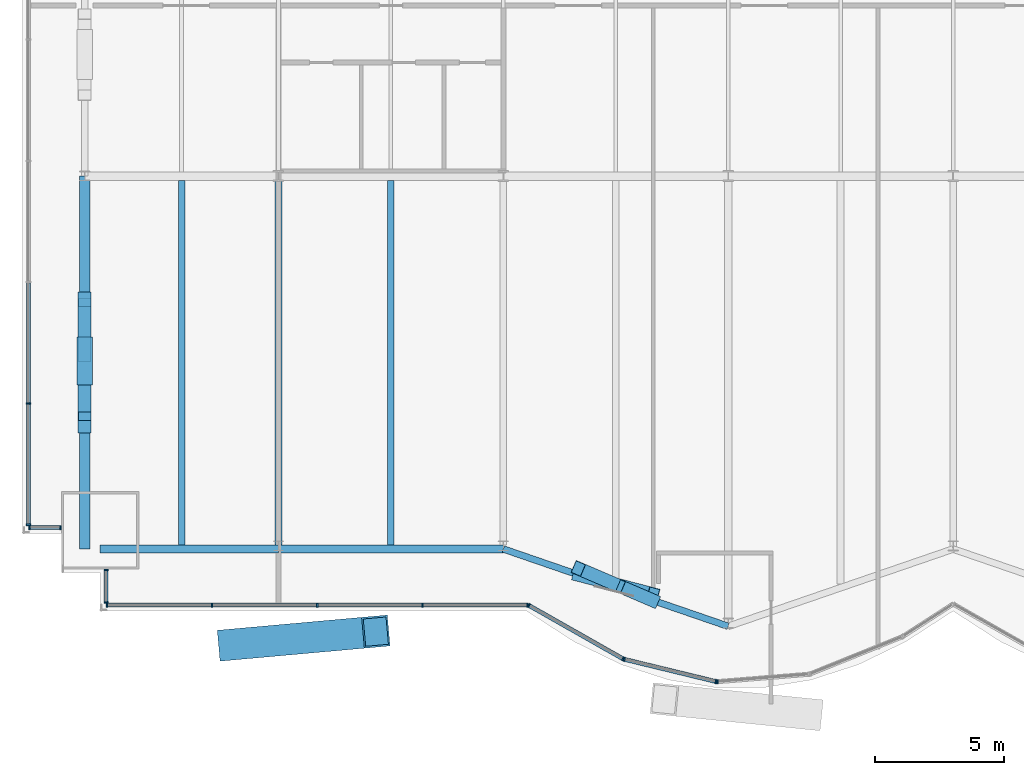
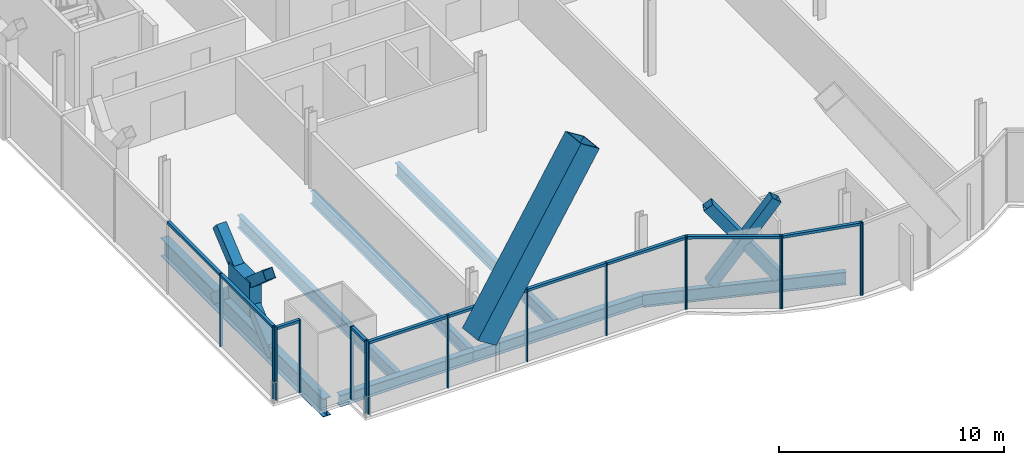
# One storey, part 4 of 22: 35 members, 7 beams, 5 elements without a shape of their own.
"""IFC4 building model written with IfcOpenShell, lengths in metres."""

from ifc_helpers import new_model, si_unit, direction, frame, origin, origin_2d, place, context, subcontext, project, spatial, rectangle, hollow_rectangle, i_section, extrude, material, material_profile, profile_set, type_object, element, aggregate, save


model = new_model("IFC4")

# Units and contexts
model_context = context("Model", 3, precision=1e-05, world=origin(), true_north=direction((0.0, 1.0)))
body_context = subcontext(model_context, "Body", "Model", "MODEL_VIEW")
ifc_project = project(units=[si_unit("LENGTHUNIT", "METRE"), si_unit("AREAUNIT", "SQUARE_METRE"), si_unit("VOLUMEUNIT", "CUBIC_METRE"), si_unit("PLANEANGLEUNIT", "RADIAN"), si_unit("MASSUNIT", "GRAM", prefix="KILO")], contexts=[model_context])

# Site, building, storey
site_placement = place(None, origin())
site = spatial("IfcSite", under=ifc_project, at=site_placement, CompositionType="ELEMENT")
building_placement = place(site_placement, origin())
building = spatial("IfcBuilding", under=site, at=building_placement, Name="Bicima Exchange Tower", CompositionType="ELEMENT")
storey_placement = place(building_placement, frame((0.0, 0.0, 94.0)))
storey = spatial("IfcBuildingStorey", under=building, at=storey_placement, Name="L19", CompositionType="ELEMENT", Elevation=94.0)

# Member
ifc_material_1 = material(Name="Steel ASTM A572 Gr 50", Category="steel")
ifc_material_profile_1 = material_profile(ifc_material_1, rectangle(XDim=0.60791015625, YDim=1.875, at=origin_2d()))
ifc_profile_set_1 = profile_set([ifc_material_profile_1], Name="Steel ASTM A572 Gr 50")
member_type_1 = type_object("IfcMemberType", Name="Brace crossing node 608 x 1875", PredefinedType="POST", material=ifc_profile_set_1)
member_1_placement = place(storey_placement, frame((-33.60009765625, -29.153076171875, 0.477294921875), z_axis=(0.0, 0.0, 1.0), x_axis=(1.0, 0.0, 0.0)))
element("IfcMember", 1, at=member_1_placement, inside=storey, type_object=member_type_1, Name="Brace crossing node block", PredefinedType="POST", context=body_context, shape_type="SweptSolid", body=[
    extrude(rectangle(XDim=0.60791015625, YDim=1.875, at=origin_2d()), origin(), (0.0, 0.0, 1.0), 1.85498046875),
])

# Curtain wall, members
ifc_material_2 = material(Name="Anodised bronze aluminium", Category="aluminium")
curtain_wall_type_1 = type_object("IfcCurtainWallType", Name="End face glass wall", PredefinedType="NOTDEFINED", material=ifc_material_2)
curtain_wall_1_placement = place(storey_placement, origin())
curtain_wall_1 = element("IfcCurtainWall", 2, at=curtain_wall_1_placement, inside=storey, type_object=curtain_wall_type_1, Name="End face glass wall L19 run 2", PredefinedType="NOTDEFINED")
ifc_material_profile_2 = material_profile(ifc_material_2, rectangle(XDim=0.159912109375, YDim=0.06005859375, at=origin_2d()))
ifc_profile_set_2 = profile_set([ifc_material_profile_2], Name="Anodised bronze aluminium")
member_type_2 = type_object("IfcMemberType", Name="End face glass wall mullion 60 x 160", PredefinedType="MULLION", material=ifc_profile_set_2)
member_2_placement = place(storey_placement, frame((-35.77001953125, -30.79638671875, 0.0), z_axis=(0.0, 0.0, 1.0), x_axis=(1.0, 0.0, 0.0)))
member_2 = element("IfcMember", 3, at=member_2_placement, type_object=member_type_2, Name="End face glass wall mullion 5", PredefinedType="MULLION", context=body_context, shape_type="SweptSolid", body=[
    extrude(rectangle(XDim=0.159912109375, YDim=0.06005859375, at=origin_2d()), origin(), (0.0, 0.0, 1.0), 3.949951171875),
])
member_3_placement = place(storey_placement, frame((-35.77001953125, -35.488037109375, 0.0), z_axis=(0.0, 0.0, 1.0), x_axis=(1.0, 0.0, 0.0)))
member_3 = element("IfcMember", 4, at=member_3_placement, type_object=member_type_2, Name="End face glass wall mullion 6", PredefinedType="MULLION", context=body_context, shape_type="SweptSolid", body=[
    extrude(rectangle(XDim=0.159912109375, YDim=0.06005859375, at=origin_2d()), origin(), (0.0, 0.0, 1.0), 3.949951171875),
])
ifc_material_profile_3 = material_profile(ifc_material_2, rectangle(XDim=0.159912109375, YDim=0.139892578125, at=origin_2d()))
ifc_profile_set_3 = profile_set([ifc_material_profile_3], Name="Anodised bronze aluminium")
member_type_3 = type_object("IfcMemberType", Name="End face glass wall transom 140 x 160", PredefinedType="USERDEFINED", material=ifc_profile_set_3)
member_4_placement = place(storey_placement, frame((-35.77001953125, -26.134765625, 3.8798828125), z_axis=(0.0, -1.0, 0.0), x_axis=(1.0, 0.0, 0.0)))
member_4 = element("IfcMember", 5, at=member_4_placement, type_object=member_type_3, Name="End face glass wall transom 4.1", ObjectType="TRANSOM", PredefinedType="USERDEFINED", context=body_context, shape_type="SweptSolid", body=[
    extrude(rectangle(XDim=0.159912109375, YDim=0.139892578125, at=origin_2d()), origin(), (0.0, 0.0, 1.0), 4.631591796875),
])
member_5_placement = place(storey_placement, frame((-35.77001953125, -30.826416015625, 3.8798828125), z_axis=(0.0, -1.0, 0.0), x_axis=(1.0, 0.0, 0.0)))
member_5 = element("IfcMember", 6, at=member_5_placement, type_object=member_type_3, Name="End face glass wall transom 5.1", ObjectType="TRANSOM", PredefinedType="USERDEFINED", context=body_context, shape_type="SweptSolid", body=[
    extrude(rectangle(XDim=0.159912109375, YDim=0.139892578125, at=origin_2d()), origin(), (0.0, 0.0, 1.0), 4.631591796875),
])
aggregate(curtain_wall_1, [member_2, member_3, member_4, member_5])

# Beam
ifc_material_3 = material(Name="Steel ASTM A992 Gr 50", Category="steel")
ifc_material_profile_4 = material_profile(ifc_material_3, i_section(OverallWidth=0.4013671875, OverallDepth=0.990478515625, WebThickness=0.0166015625, FlangeThickness=0.031005859375, at=origin_2d()))
ifc_profile_set_4 = profile_set([ifc_material_profile_4], Name="Steel ASTM A992 Gr 50")
beam_type_1 = type_object("IfcBeamType", Name="End girder W40x215", PredefinedType="BEAM", material=ifc_profile_set_4)
beam_1_placement = place(storey_placement, frame((-33.60009765625, -22.0, -0.645263671875), z_axis=(0.0, -1.0, 0.0), x_axis=(1.0, 0.0, 0.0)))
element("IfcBeam", 7, at=beam_1_placement, inside=storey, type_object=beam_type_1, Name="End girder", PredefinedType="BEAM", context=body_context, shape_type="SweptSolid", body=[
    extrude(i_section(OverallWidth=0.4013671875, OverallDepth=0.990478515625, WebThickness=0.0166015625, FlangeThickness=0.031005859375, at=origin_2d()), origin(), (0.0, 0.0, 1.0), 14.427978515625),
])

# Member
ifc_material_profile_5 = material_profile(ifc_material_1, hollow_rectangle(XDim=1.199951171875, YDim=1.199951171875, WallThickness=0.070068359375, at=origin_2d()))
ifc_profile_set_5 = profile_set([ifc_material_profile_5], Name="Steel ASTM A572 Gr 50")
member_type_4 = type_object("IfcMemberType", Name="Exo mega brace BOX 1200x1200x70", PredefinedType="BRACE", material=ifc_profile_set_5)
member_6_placement = place(storey_placement, frame((-27.916748046875, -40.124755859375, 3.416748046875), z_axis=(0.552134579453, 0.049540015612, 0.832281919199), x_axis=(-0.089365532808, 0.995998896358, 0.0)))
element("IfcMember", 8, at=member_6_placement, inside=storey, type_object=member_type_4, Name="Exo mega brace front", PredefinedType="BRACE", context=body_context, shape_type="SweptSolid", body=[
    extrude(hollow_rectangle(XDim=1.199951171875, YDim=1.199951171875, WallThickness=0.070068359375, at=origin_2d()), origin(), (0.0, 0.0, 1.0), 10.112548828125),
])

# Beams
ifc_material_profile_6 = material_profile(ifc_material_3, i_section(OverallWidth=0.25390625, OverallDepth=0.67822265625, WebThickness=0.01171875, FlangeThickness=0.016357421875, at=origin_2d()))
ifc_profile_set_6 = profile_set([ifc_material_profile_6], Name="Steel ASTM A992 Gr 50")
beam_type_2 = type_object("IfcBeamType", Name="Floor beam W27x84", PredefinedType="JOIST", material=ifc_profile_set_6)
for number, where, z_axis, x_axis, name in (
    (9, (-29.85009765625, -22.16259765625, -0.489013671875), (0.0, -1.0, 0.0), (1.0, 0.0, 0.0), "Floor beam"),
    (10, (-26.10009765625, -22.16259765625, -0.489013671875), (0.0, -1.0, 0.0), (1.0, 0.0, 0.0), "Floor beam"),
    (11, (-21.75, -22.16259765625, -0.489013671875), (0.0, -1.0, 0.0), (1.0, 0.0, 0.0), "Floor beam"),
):
    element("IfcBeam", number, at=place(storey_placement, frame(where, z_axis=z_axis, x_axis=x_axis)), inside=storey, type_object=beam_type_2, Name=name, PredefinedType="JOIST", context=body_context, shape_type="SweptSolid", body=[
        extrude(i_section(OverallWidth=0.25390625, OverallDepth=0.67822265625, WebThickness=0.01171875, FlangeThickness=0.016357421875, at=origin_2d()), origin(), (0.0, 0.0, 1.0), 14.102783203125),
    ])
ifc_material_profile_7 = material_profile(ifc_material_3, i_section(OverallWidth=0.3251953125, OverallDepth=0.612060546875, WebThickness=0.0126953125, FlangeThickness=0.01904296875, at=origin_2d()))
ifc_profile_set_7 = profile_set([ifc_material_profile_7], Name="Steel ASTM A992 Gr 50")
beam_type_3 = type_object("IfcBeamType", Name="Front girder W24x104", PredefinedType="BEAM", material=ifc_profile_set_7)
beam_2_placement = place(storey_placement, frame((-33.0, -36.427978515625, -0.4560546875), z_axis=(1.0, 0.0, 0.0), x_axis=(0.0, 1.0, 0.0)))
element("IfcBeam", 12, at=beam_2_placement, inside=storey, type_object=beam_type_3, Name="Front girder", PredefinedType="BEAM", context=body_context, shape_type="SweptSolid", body=[
    extrude(i_section(OverallWidth=0.3251953125, OverallDepth=0.612060546875, WebThickness=0.0126953125, FlangeThickness=0.01904296875, at=origin_2d()), origin(), (0.0, 0.0, 1.0), 6.89990234375),
])
beam_3_placement = place(storey_placement, frame((-26.10009765625, -36.427978515625, -0.4560546875), z_axis=(1.0, 0.0, 0.0), x_axis=(0.0, 1.0, 0.0)))
element("IfcBeam", 13, at=beam_3_placement, inside=storey, type_object=beam_type_3, Name="Front girder", PredefinedType="BEAM", context=body_context, shape_type="SweptSolid", body=[
    extrude(i_section(OverallWidth=0.3251953125, OverallDepth=0.612060546875, WebThickness=0.0126953125, FlangeThickness=0.01904296875, at=origin_2d()), origin(), (0.0, 0.0, 1.0), 8.7001953125),
])
ifc_material_profile_8 = material_profile(ifc_material_3, i_section(OverallWidth=0.256591796875, OverallDepth=0.693359375, WebThickness=0.014404296875, FlangeThickness=0.023681640625, at=origin_2d()))
ifc_profile_set_8 = profile_set([ifc_material_profile_8], Name="Steel ASTM A992 Gr 50")
beam_type_4 = type_object("IfcBeamType", Name="Front girder W27x114", PredefinedType="BEAM", material=ifc_profile_set_8)
beam_4_placement = place(storey_placement, frame((-17.39990234375, -36.427978515625, -0.49658203125), z_axis=(0.945666456746, -0.325138359143, 0.0), x_axis=(0.325138359143, 0.945666456746, 0.0)))
element("IfcBeam", 14, at=beam_4_placement, inside=storey, type_object=beam_type_4, Name="Front girder", PredefinedType="BEAM", context=body_context, shape_type="SweptSolid", body=[
    extrude(i_section(OverallWidth=0.256591796875, OverallDepth=0.693359375, WebThickness=0.014404296875, FlangeThickness=0.023681640625, at=origin_2d()), origin(), (0.0, 0.0, 1.0), 9.19970703125),
])

# Curtain wall, members
curtain_wall_type_2 = type_object("IfcCurtainWallType", Name="Front glass wall", PredefinedType="NOTDEFINED", material=ifc_material_2)
curtain_wall_2_placement = place(storey_placement, origin())
curtain_wall_2 = element("IfcCurtainWall", 15, at=curtain_wall_2_placement, inside=storey, type_object=curtain_wall_type_2, Name="Front glass wall L19 run 3", PredefinedType="NOTDEFINED")
member_type_5 = type_object("IfcMemberType", Name="Front glass wall mullion 60 x 160", PredefinedType="MULLION", material=ifc_profile_set_2)
member_7_placement = place(storey_placement, frame((-35.739990234375, -35.597900390625, 0.0), z_axis=(0.0, 0.0, 1.0), x_axis=(0.0, 1.0, 0.0)))
member_7 = element("IfcMember", 16, at=member_7_placement, type_object=member_type_5, Name="Front glass wall mullion 1", PredefinedType="MULLION", context=body_context, shape_type="SweptSolid", body=[
    extrude(rectangle(XDim=0.159912109375, YDim=0.06005859375, at=origin_2d()), origin(), (0.0, 0.0, 1.0), 3.949951171875),
])
member_8_placement = place(storey_placement, frame((-34.530029296875, -35.597900390625, 0.0), z_axis=(0.0, 0.0, 1.0), x_axis=(0.0, 1.0, 0.0)))
member_8 = element("IfcMember", 17, at=member_8_placement, type_object=member_type_5, Name="Front glass wall mullion 2", PredefinedType="MULLION", context=body_context, shape_type="SweptSolid", body=[
    extrude(rectangle(XDim=0.159912109375, YDim=0.06005859375, at=origin_2d()), origin(), (0.0, 0.0, 1.0), 3.949951171875),
])

curtain_wall_3_placement = place(storey_placement, origin())
curtain_wall_3 = element("IfcCurtainWall", 18, at=curtain_wall_3_placement, inside=storey, type_object=curtain_wall_type_2, Name="Front glass wall L19 run 4", PredefinedType="NOTDEFINED")
member_9_placement = place(storey_placement, frame((-32.77001953125, -37.236083984375, 0.0), z_axis=(0.0, 0.0, 1.0), x_axis=(1.0, 0.0, 0.0)))
member_9 = element("IfcMember", 19, at=member_9_placement, type_object=member_type_5, Name="Front glass wall mullion 1", PredefinedType="MULLION", context=body_context, shape_type="SweptSolid", body=[
    extrude(rectangle(XDim=0.159912109375, YDim=0.06005859375, at=origin_2d()), origin(), (0.0, 0.0, 1.0), 3.949951171875),
])
member_10_placement = place(storey_placement, frame((-32.77001953125, -38.488037109375, 0.0), z_axis=(0.0, 0.0, 1.0), x_axis=(1.0, 0.0, 0.0)))
member_10 = element("IfcMember", 20, at=member_10_placement, type_object=member_type_5, Name="Front glass wall mullion 2", PredefinedType="MULLION", context=body_context, shape_type="SweptSolid", body=[
    extrude(rectangle(XDim=0.159912109375, YDim=0.06005859375, at=origin_2d()), origin(), (0.0, 0.0, 1.0), 3.949951171875),
])

curtain_wall_4_placement = place(storey_placement, origin())
curtain_wall_4 = element("IfcCurtainWall", 21, at=curtain_wall_4_placement, inside=storey, type_object=curtain_wall_type_2, Name="Front glass wall L19 run 5", PredefinedType="NOTDEFINED")
member_11_placement = place(storey_placement, frame((-32.739990234375, -38.597900390625, 0.0), z_axis=(0.0, 0.0, 1.0), x_axis=(0.0, 1.0, 0.0)))
member_11 = element("IfcMember", 22, at=member_11_placement, type_object=member_type_5, Name="Front glass wall mullion 1", PredefinedType="MULLION", context=body_context, shape_type="SweptSolid", body=[
    extrude(rectangle(XDim=0.159912109375, YDim=0.06005859375, at=origin_2d()), origin(), (0.0, 0.0, 1.0), 3.949951171875),
])
member_12_placement = place(storey_placement, frame((-28.67041015625, -38.597900390625, 0.0), z_axis=(0.0, 0.0, 1.0), x_axis=(0.0, 1.0, 0.0)))
member_12 = element("IfcMember", 23, at=member_12_placement, type_object=member_type_5, Name="Front glass wall mullion 2", PredefinedType="MULLION", context=body_context, shape_type="SweptSolid", body=[
    extrude(rectangle(XDim=0.159912109375, YDim=0.06005859375, at=origin_2d()), origin(), (0.0, 0.0, 1.0), 3.949951171875),
])
member_13_placement = place(storey_placement, frame((-24.60107421875, -38.597900390625, 0.0), z_axis=(0.0, 0.0, 1.0), x_axis=(0.0, 1.0, 0.0)))
member_13 = element("IfcMember", 24, at=member_13_placement, type_object=member_type_5, Name="Front glass wall mullion 3", PredefinedType="MULLION", context=body_context, shape_type="SweptSolid", body=[
    extrude(rectangle(XDim=0.159912109375, YDim=0.06005859375, at=origin_2d()), origin(), (0.0, 0.0, 1.0), 3.949951171875),
])
member_14_placement = place(storey_placement, frame((-20.531494140625, -38.597900390625, 0.0), z_axis=(0.0, 0.0, 1.0), x_axis=(0.0, 1.0, 0.0)))
member_14 = element("IfcMember", 25, at=member_14_placement, type_object=member_type_5, Name="Front glass wall mullion 4", PredefinedType="MULLION", context=body_context, shape_type="SweptSolid", body=[
    extrude(rectangle(XDim=0.159912109375, YDim=0.06005859375, at=origin_2d()), origin(), (0.0, 0.0, 1.0), 3.949951171875),
])
member_15_placement = place(storey_placement, frame((-16.462158203125, -38.597900390625, 0.0), z_axis=(0.0, 0.0, 1.0), x_axis=(0.0, 1.0, 0.0)))
member_15 = element("IfcMember", 26, at=member_15_placement, type_object=member_type_5, Name="Front glass wall mullion 5", PredefinedType="MULLION", context=body_context, shape_type="SweptSolid", body=[
    extrude(rectangle(XDim=0.159912109375, YDim=0.06005859375, at=origin_2d()), origin(), (0.0, 0.0, 1.0), 3.949951171875),
])

curtain_wall_5_placement = place(storey_placement, origin())
curtain_wall_5 = element("IfcCurtainWall", 27, at=curtain_wall_5_placement, inside=storey, type_object=curtain_wall_type_2, Name="Front glass wall L19 run 6", PredefinedType="NOTDEFINED")
member_16_placement = place(storey_placement, frame((-16.406005859375, -38.61279296875, 0.0), z_axis=(0.0, 0.0, 1.0), x_axis=(0.493395449343, 0.869805110681, 0.0)))
member_16 = element("IfcMember", 28, at=member_16_placement, type_object=member_type_5, Name="Front glass wall mullion 1", PredefinedType="MULLION", context=body_context, shape_type="SweptSolid", body=[
    extrude(rectangle(XDim=0.159912109375, YDim=0.06005859375, at=origin_2d()), origin(), (0.0, 0.0, 1.0), 3.949951171875),
])
member_17_placement = place(storey_placement, frame((-12.7734375, -40.67333984375, 0.0), z_axis=(0.0, 0.0, 1.0), x_axis=(0.493395449343, 0.869805110681, 0.0)))
member_17 = element("IfcMember", 29, at=member_17_placement, type_object=member_type_5, Name="Front glass wall mullion 2", PredefinedType="MULLION", context=body_context, shape_type="SweptSolid", body=[
    extrude(rectangle(XDim=0.159912109375, YDim=0.06005859375, at=origin_2d()), origin(), (0.0, 0.0, 1.0), 3.949951171875),
])
member_18_placement = place(storey_placement, frame((-12.718017578125, -40.6953125, 0.0), z_axis=(0.0, 0.0, 1.0), x_axis=(0.235681529503, 0.971830343553, 0.0)))
member_18 = element("IfcMember", 30, at=member_18_placement, type_object=member_type_5, Name="Front glass wall mullion 1", PredefinedType="MULLION", context=body_context, shape_type="SweptSolid", body=[
    extrude(rectangle(XDim=0.159912109375, YDim=0.06005859375, at=origin_2d()), origin(), (0.0, 0.0, 1.0), 3.949951171875),
])
member_19_placement = place(storey_placement, frame((-9.177490234375, -41.553955078125, 0.0), z_axis=(0.0, 0.0, 1.0), x_axis=(0.235681529503, 0.971830343553, 0.0)))
member_19 = element("IfcMember", 31, at=member_19_placement, type_object=member_type_5, Name="Front glass wall mullion 2", PredefinedType="MULLION", context=body_context, shape_type="SweptSolid", body=[
    extrude(rectangle(XDim=0.159912109375, YDim=0.06005859375, at=origin_2d()), origin(), (0.0, 0.0, 1.0), 3.949951171875),
])
member_20_placement = place(storey_placement, frame((-9.118408203125, -41.55859375, 0.0), z_axis=(0.0, 0.0, 1.0), x_axis=(-0.080588612633, 0.99674744821, 0.0)))
member_20 = element("IfcMember", 32, at=member_20_placement, type_object=member_type_5, Name="Front glass wall mullion 1", PredefinedType="MULLION", context=body_context, shape_type="SweptSolid", body=[
    extrude(rectangle(XDim=0.159912109375, YDim=0.06005859375, at=origin_2d()), origin(), (0.0, 0.0, 1.0), 3.949951171875),
])

# Member
member_type_6 = type_object("IfcMemberType", Name="Front glass wall transom 140 x 160", PredefinedType="USERDEFINED", material=ifc_profile_set_3)
member_21_placement = place(storey_placement, frame((-35.7099609375, -35.597900390625, 3.8798828125), z_axis=(1.0, 0.0, 0.0), x_axis=(0.0, 1.0, 0.0)))
member_21 = element("IfcMember", 33, at=member_21_placement, type_object=member_type_6, Name="Front glass wall transom 1.1", ObjectType="TRANSOM", PredefinedType="USERDEFINED", context=body_context, shape_type="SweptSolid", body=[
    extrude(rectangle(XDim=0.159912109375, YDim=0.139892578125, at=origin_2d()), origin(), (0.0, 0.0, 1.0), 1.14990234375),
])

aggregate(curtain_wall_2, [member_7, member_8, member_21])

member_22_placement = place(storey_placement, frame((-32.77001953125, -37.26611328125, 3.8798828125), z_axis=(0.0, -1.0, 0.0), x_axis=(1.0, 0.0, 0.0)))
member_22 = element("IfcMember", 34, at=member_22_placement, type_object=member_type_6, Name="Front glass wall transom 1.1", ObjectType="TRANSOM", PredefinedType="USERDEFINED", context=body_context, shape_type="SweptSolid", body=[
    extrude(rectangle(XDim=0.159912109375, YDim=0.139892578125, at=origin_2d()), origin(), (0.0, 0.0, 1.0), 1.19189453125),
])

aggregate(curtain_wall_3, [member_9, member_10, member_22])

member_23_placement = place(storey_placement, frame((-32.7099609375, -38.597900390625, 3.8798828125), z_axis=(1.0, 0.0, 0.0), x_axis=(0.0, 1.0, 0.0)))
member_23 = element("IfcMember", 35, at=member_23_placement, type_object=member_type_6, Name="Front glass wall transom 1.1", ObjectType="TRANSOM", PredefinedType="USERDEFINED", context=body_context, shape_type="SweptSolid", body=[
    extrude(rectangle(XDim=0.159912109375, YDim=0.139892578125, at=origin_2d()), origin(), (0.0, 0.0, 1.0), 4.009521484375),
])

member_24_placement = place(storey_placement, frame((-28.640380859375, -38.597900390625, 3.8798828125), z_axis=(1.0, 0.0, 0.0), x_axis=(0.0, 1.0, 0.0)))
member_24 = element("IfcMember", 36, at=member_24_placement, type_object=member_type_6, Name="Front glass wall transom 2.1", ObjectType="TRANSOM", PredefinedType="USERDEFINED", context=body_context, shape_type="SweptSolid", body=[
    extrude(rectangle(XDim=0.159912109375, YDim=0.139892578125, at=origin_2d()), origin(), (0.0, 0.0, 1.0), 4.00927734375),
])

member_25_placement = place(storey_placement, frame((-24.571044921875, -38.597900390625, 3.8798828125), z_axis=(1.0, 0.0, 0.0), x_axis=(0.0, 1.0, 0.0)))
member_25 = element("IfcMember", 37, at=member_25_placement, type_object=member_type_6, Name="Front glass wall transom 3.1", ObjectType="TRANSOM", PredefinedType="USERDEFINED", context=body_context, shape_type="SweptSolid", body=[
    extrude(rectangle(XDim=0.159912109375, YDim=0.139892578125, at=origin_2d()), origin(), (0.0, 0.0, 1.0), 4.009521484375),
])

member_26_placement = place(storey_placement, frame((-20.501708984375, -38.597900390625, 3.8798828125), z_axis=(1.0, 0.0, 0.0), x_axis=(0.0, 1.0, 0.0)))
member_26 = element("IfcMember", 38, at=member_26_placement, type_object=member_type_6, Name="Front glass wall transom 4.1", ObjectType="TRANSOM", PredefinedType="USERDEFINED", context=body_context, shape_type="SweptSolid", body=[
    extrude(rectangle(XDim=0.159912109375, YDim=0.139892578125, at=origin_2d()), origin(), (0.0, 0.0, 1.0), 4.009521484375),
])

aggregate(curtain_wall_4, [member_11, member_12, member_13, member_14, member_15, member_23, member_24, member_25, member_26])

member_27_placement = place(storey_placement, frame((-16.3798828125, -38.627685546875, 3.8798828125), z_axis=(0.869797371721, -0.49340909208, 0.0), x_axis=(0.49340909208, 0.869797371721, 0.0)))
member_27 = element("IfcMember", 39, at=member_27_placement, type_object=member_type_6, Name="Front glass wall transom 1.1", ObjectType="TRANSOM", PredefinedType="USERDEFINED", context=body_context, shape_type="SweptSolid", body=[
    extrude(rectangle(XDim=0.159912109375, YDim=0.139892578125, at=origin_2d()), origin(), (0.0, 0.0, 1.0), 4.1162109375),
])

member_28_placement = place(storey_placement, frame((-12.68896484375, -40.702392578125, 3.8798828125), z_axis=(0.971833557815, -0.235668275132, 0.0), x_axis=(0.235668275132, 0.971833557815, 0.0)))
member_28 = element("IfcMember", 40, at=member_28_placement, type_object=member_type_6, Name="Front glass wall transom 1.1", ObjectType="TRANSOM", PredefinedType="USERDEFINED", context=body_context, shape_type="SweptSolid", body=[
    extrude(rectangle(XDim=0.159912109375, YDim=0.139892578125, at=origin_2d()), origin(), (0.0, 0.0, 1.0), 3.583251953125),
])

aggregate(curtain_wall_5, [member_16, member_17, member_27, member_18, member_19, member_28, member_20])

# Members
ifc_material_profile_9 = material_profile(ifc_material_1, hollow_rectangle(XDim=0.508056640625, YDim=0.508056640625, WallThickness=0.0146484375, at=origin_2d()))
ifc_profile_set_9 = profile_set([ifc_material_profile_9], Name="Steel ASTM A572 Gr 50")
member_type_7 = type_object("IfcMemberType", Name="Mega brace HSS20x20x5/8", PredefinedType="BRACE", material=ifc_profile_set_9)
member_29_placement = place(storey_placement, frame((-14.5, -37.425048828125, 0.0), z_axis=(0.571060084049, -0.14826985176, 0.807407227776), x_axis=(0.251307155067, 0.967907389068, 0.0)))
element("IfcMember", 41, at=member_29_placement, inside=storey, type_object=member_type_7, Name="Mega brace front", PredefinedType="BRACE", context=body_context, shape_type="SweptSolid", body=[
    extrude(hollow_rectangle(XDim=0.508056640625, YDim=0.508056640625, WallThickness=0.0146484375, at=origin_2d()), origin(), (0.0, 0.0, 1.0), 5.078125),
])
for number, where, z_axis, x_axis, name in (
    (42, (-11.60009765625, -38.422119140625, 0.0), (-0.560566949538, 0.239910931711, 0.792595382229), (-0.39345918671, -0.919342084533, 0.0), "Mega brace front"),
    (43, (-13.145751953125, -37.760498046875, 2.185302734375), (-0.560566949538, 0.239910931711, 0.792595382229), (-0.39345918671, -0.919342084533, 0.0), "Mega brace front"),
):
    element("IfcMember", number, at=place(storey_placement, frame(where, z_axis=z_axis, x_axis=x_axis)), inside=storey, type_object=member_type_7, Name=name, PredefinedType="BRACE", context=body_context, shape_type="SweptSolid", body=[
        extrude(hollow_rectangle(XDim=0.508056640625, YDim=0.508056640625, WallThickness=0.0146484375, at=origin_2d()), origin(), (0.0, 0.0, 1.0), 2.415771484375),
    ])
member_30_placement = place(storey_placement, frame((-33.60009765625, -26.646728515625, -0.645263671875), z_axis=(0.0, -0.749837855365, 0.661621637087), x_axis=(1.0, 0.0, 0.0)))
element("IfcMember", 44, at=member_30_placement, inside=storey, type_object=member_type_7, Name="Mega brace west end", PredefinedType="BRACE", context=body_context, shape_type="SweptSolid", body=[
    extrude(hollow_rectangle(XDim=0.508056640625, YDim=0.508056640625, WallThickness=0.0146484375, at=origin_2d()), origin(), (0.0, 0.0, 1.0), 2.678955078125),
])
member_31_placement = place(storey_placement, frame((-33.60009765625, -29.28466796875, 1.682373046875), z_axis=(0.0, -0.74984317504, 0.661615608073), x_axis=(1.0, 0.0, 0.0)))
element("IfcMember", 45, at=member_31_placement, inside=storey, type_object=member_type_7, Name="Mega brace west end", PredefinedType="BRACE", context=body_context, shape_type="SweptSolid", body=[
    extrude(hollow_rectangle(XDim=0.508056640625, YDim=0.508056640625, WallThickness=0.0146484375, at=origin_2d()), origin(), (0.0, 0.0, 1.0), 2.6787109375),
])
member_32_placement = place(storey_placement, frame((-33.60009765625, -31.78125, -0.645263671875), z_axis=(0.0, 0.766318850904, 0.642460441389), x_axis=(-1.0, 0.0, 0.0)))
element("IfcMember", 46, at=member_32_placement, inside=storey, type_object=member_type_7, Name="Mega brace west end", PredefinedType="BRACE", context=body_context, shape_type="SweptSolid", body=[
    extrude(hollow_rectangle(XDim=0.508056640625, YDim=0.508056640625, WallThickness=0.0146484375, at=origin_2d()), origin(), (0.0, 0.0, 1.0), 2.771484375),
])
member_33_placement = place(storey_placement, frame((-33.60009765625, -29.014404296875, 1.67431640625), z_axis=(0.0, 0.766362222277, 0.642408705006), x_axis=(-1.0, 0.0, 0.0)))
element("IfcMember", 47, at=member_33_placement, inside=storey, type_object=member_type_7, Name="Mega brace west end", PredefinedType="BRACE", context=body_context, shape_type="SweptSolid", body=[
    extrude(hollow_rectangle(XDim=0.508056640625, YDim=0.508056640625, WallThickness=0.0146484375, at=origin_2d()), origin(), (0.0, 0.0, 1.0), 2.771240234375),
])

save(model, "model.ifc")
